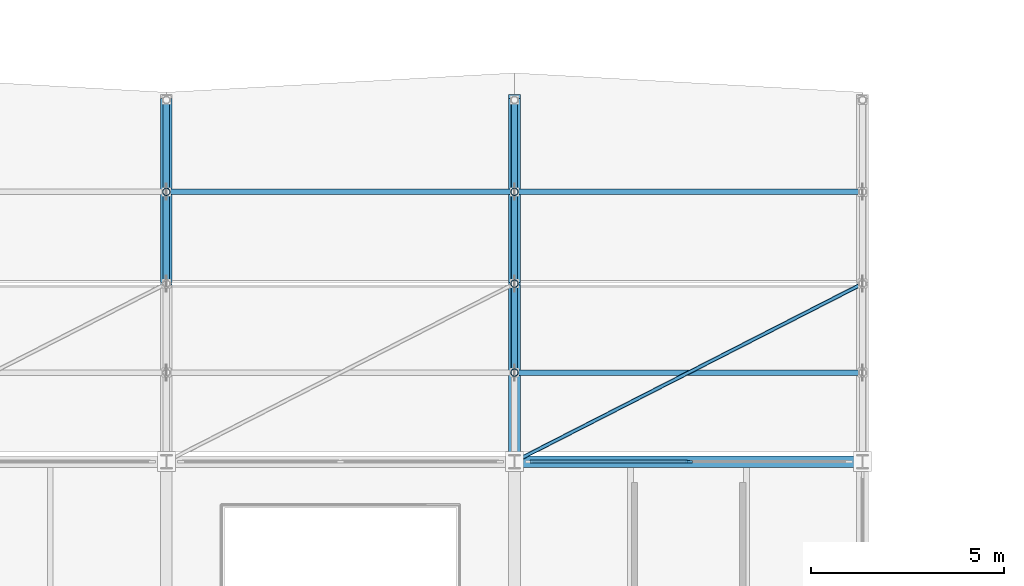
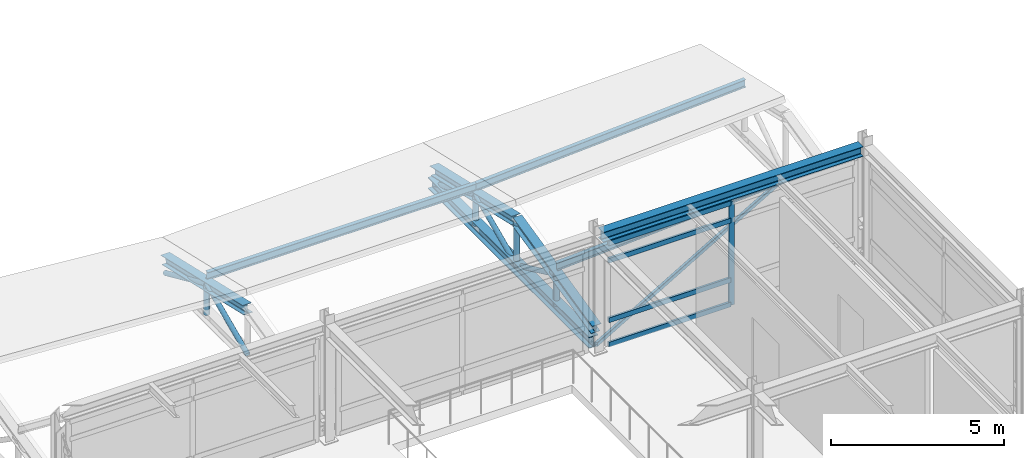
# One storey, part 21 of 55: 21 members, 2 beams, 1 element without a shape of its own.
"""IFC4 building model written with IfcOpenShell, lengths in metres."""

from ifc_helpers import new_model, si_unit, direction, frame, origin, origin_2d, place, context, subcontext, project, spatial, rectangle, hollow_rectangle, hollow_circle, i_section, extrude, material, material_profile, profile_set, type_object, element, aggregate, save


model = new_model("IFC4")

# Units and contexts
model_context = context("Model", 3, precision=1e-05, world=origin(), true_north=direction((0.0, 1.0)))
body_context = subcontext(model_context, "Body", "Model", "MODEL_VIEW")
ifc_project = project(units=[si_unit("LENGTHUNIT", "METRE"), si_unit("AREAUNIT", "SQUARE_METRE"), si_unit("VOLUMEUNIT", "CUBIC_METRE"), si_unit("PLANEANGLEUNIT", "RADIAN"), si_unit("MASSUNIT", "GRAM", prefix="KILO")], contexts=[model_context])

# Site, building, storey
site_placement = place(None, origin())
site = spatial("IfcSite", under=ifc_project, at=site_placement, CompositionType="ELEMENT")
building_placement = place(site_placement, origin())
building = spatial("IfcBuilding", under=site, at=building_placement, Name="Bozkorgan Art Gallery", CompositionType="ELEMENT")
storey_placement = place(building_placement, frame((0.0, 0.0, 15.0)))
storey = spatial("IfcBuildingStorey", under=building, at=storey_placement, Name="L03", CompositionType="ELEMENT", Elevation=15.0)

# Beams
ifc_material_1 = material(Name="Steel S355J2", Category="steel")
ifc_material_profile_1 = material_profile(ifc_material_1, i_section(OverallWidth=0.300048828125, OverallDepth=0.35009765625, WebThickness=0.010009765625, FlangeThickness=0.017578125, FilletRadius=0.027099609375, at=origin_2d()), Name="HEA 360")
ifc_profile_set_1 = profile_set([ifc_material_profile_1], Name="Steel S355J2")
beam_type_1 = type_object("IfcBeamType", Name="BEAM-SP-97", PredefinedType="SPANDREL", material=ifc_profile_set_1)
beam_1_placement = place(storey_placement, frame((92.14990234375, 84.39990234375, 4.0048828125), z_axis=(1.0, 0.0, 0.0), x_axis=(0.0, 1.0, 0.0)))
element("IfcBeam", 1, at=beam_1_placement, inside=storey, type_object=beam_type_1, Name="V4 L03 spandrel X (92-101, 84.4)", PredefinedType="SPANDREL", context=body_context, shape_type="SweptSolid", body=[
    extrude(i_section(OverallWidth=0.300048828125, OverallDepth=0.35009765625, WebThickness=0.010009765625, FlangeThickness=0.017578125, FilletRadius=0.027099609375, at=origin_2d()), origin(), (0.0, 0.0, 1.0), 8.7001953125),
])
ifc_material_profile_2 = material_profile(ifc_material_1, i_section(OverallWidth=0.300048828125, OverallDepth=0.39990234375, WebThickness=0.013427734375, FlangeThickness=0.02392578125, FilletRadius=0.027099609375, at=origin_2d()), Name="HEB 400")
ifc_profile_set_2 = profile_set([ifc_material_profile_2], Name="Steel S355J2")
beam_type_2 = type_object("IfcBeamType", Name="BEAM-TB-49", PredefinedType="BEAM", material=ifc_profile_set_2)
beam_2_placement = place(storey_placement, frame((92.0, 84.550048828125, 0.199951171875), z_axis=(0.0, 1.0, 0.0), x_axis=(-1.0, 0.0, 0.0)))
element("IfcBeam", 2, at=beam_2_placement, inside=storey, type_object=beam_type_2, Name="ROOF-V4-STEP3 roof truss 3 bottom chord", PredefinedType="BEAM", context=body_context, shape_type="SweptSolid", body=[
    extrude(i_section(OverallWidth=0.300048828125, OverallDepth=0.39990234375, WebThickness=0.013427734375, FlangeThickness=0.02392578125, FilletRadius=0.027099609375, at=origin_2d()), origin(), (0.0, 0.0, 1.0), 9.33984375),
])

# Curtain wall, members
ifc_material_2 = material(Name="Anodised Bronze Aluminium", Category="aluminium")
curtain_wall_type = type_object("IfcCurtainWallType", Name="CW-CW-85", PredefinedType="NOTDEFINED", material=ifc_material_2)
curtain_wall_placement = place(storey_placement, origin())
curtain_wall = element("IfcCurtainWall", 3, at=curtain_wall_placement, inside=storey, type_object=curtain_wall_type, Name="L03 unitised curtain wall CW-V4-L03-1N-06", PredefinedType="NOTDEFINED")
ifc_material_profile_3 = material_profile(ifc_material_2, rectangle(XDim=0.06494140625, YDim=0.179931640625, at=origin_2d()), Name="ALU MULLION 65x180")
ifc_profile_set_3 = profile_set([ifc_material_profile_3], Name="Anodised Bronze Aluminium")
member_type_1 = type_object("IfcMemberType", Name="CWM-01", PredefinedType="MULLION", material=ifc_profile_set_3)
member_1_placement = place(storey_placement, frame((96.512451171875, 84.39990234375, 0.02001953125), z_axis=(0.0, 0.0, 1.0), x_axis=(0.0, 1.0, 0.0)))
member_1 = element("IfcMember", 4, at=member_1_placement, type_object=member_type_1, Name="CW-85 mullion 2", PredefinedType="MULLION", context=body_context, shape_type="SweptSolid", body=[
    extrude(rectangle(XDim=0.06494140625, YDim=0.179931640625, at=origin_2d()), origin(), (0.0, 0.0, 1.0), 3.655029296875),
])
ifc_material_profile_4 = material_profile(ifc_material_2, rectangle(XDim=0.074951171875, YDim=0.169921875, at=origin_2d()), Name="ALU TRANSOM 75x170")
ifc_profile_set_4 = profile_set([ifc_material_profile_4], Name="Anodised Bronze Aluminium")
member_type_2 = type_object("IfcMemberType", Name="CWT-02", PredefinedType="USERDEFINED", material=ifc_profile_set_4)
member_2_placement = place(storey_placement, frame((92.405029296875, 84.39990234375, 0.0576171875), z_axis=(1.0, 0.0, 0.0), x_axis=(0.0, 1.0, 0.0)))
member_2 = element("IfcMember", 5, at=member_2_placement, type_object=member_type_2, Name="CW-85 transom 1.1", ObjectType="TRANSOM", PredefinedType="USERDEFINED", context=body_context, shape_type="SweptSolid", body=[
    extrude(rectangle(XDim=0.074951171875, YDim=0.169921875, at=origin_2d()), origin(), (0.0, 0.0, 1.0), 4.074951171875),
])
member_3_placement = place(storey_placement, frame((92.405029296875, 84.39990234375, 0.919921875), z_axis=(1.0, 0.0, 0.0), x_axis=(0.0, 1.0, 0.0)))
member_3 = element("IfcMember", 6, at=member_3_placement, type_object=member_type_2, Name="CW-85 transom 1.2", ObjectType="TRANSOM", PredefinedType="USERDEFINED", context=body_context, shape_type="SweptSolid", body=[
    extrude(rectangle(XDim=0.074951171875, YDim=0.169921875, at=origin_2d()), origin(), (0.0, 0.0, 1.0), 4.074951171875),
])
member_4_placement = place(storey_placement, frame((92.405029296875, 84.39990234375, 3.02490234375), z_axis=(1.0, 0.0, 0.0), x_axis=(0.0, 1.0, 0.0)))
member_4 = element("IfcMember", 7, at=member_4_placement, type_object=member_type_2, Name="CW-85 transom 1.3", ObjectType="TRANSOM", PredefinedType="USERDEFINED", context=body_context, shape_type="SweptSolid", body=[
    extrude(rectangle(XDim=0.074951171875, YDim=0.169921875, at=origin_2d()), origin(), (0.0, 0.0, 1.0), 4.074951171875),
])
member_5_placement = place(storey_placement, frame((92.405029296875, 84.39990234375, 3.637451171875), z_axis=(1.0, 0.0, 0.0), x_axis=(0.0, 1.0, 0.0)))
member_5 = element("IfcMember", 8, at=member_5_placement, type_object=member_type_2, Name="CW-85 transom 1.4", ObjectType="TRANSOM", PredefinedType="USERDEFINED", context=body_context, shape_type="SweptSolid", body=[
    extrude(rectangle(XDim=0.074951171875, YDim=0.169921875, at=origin_2d()), origin(), (0.0, 0.0, 1.0), 4.074951171875),
])
aggregate(curtain_wall, [member_1, member_2, member_3, member_4, member_5])

# Members
ifc_material_profile_5 = material_profile(ifc_material_1, i_section(OverallWidth=0.135009765625, OverallDepth=0.27001953125, WebThickness=0.006591796875, FlangeThickness=0.01025390625, FilletRadius=0.014892578125, at=origin_2d()), Name="IPE 270")
ifc_profile_set_5 = profile_set([ifc_material_profile_5], Name="Steel S355J2")
member_type_3 = type_object("IfcMemberType", Name="MEMBER-PR-57", PredefinedType="PURLIN", material=ifc_profile_set_5)
member_6_placement = place(storey_placement, frame((83.0, 91.375, 1.5517578125), z_axis=(1.0, 0.0, 0.0), x_axis=(0.0, 1.0, 0.0)))
element("IfcMember", 9, at=member_6_placement, inside=storey, type_object=member_type_3, Name="ROOF-V4-STEP3 roof purlin 2N", PredefinedType="PURLIN", context=body_context, shape_type="SweptSolid", body=[
    extrude(i_section(OverallWidth=0.135009765625, OverallDepth=0.27001953125, WebThickness=0.006591796875, FlangeThickness=0.01025390625, FilletRadius=0.014892578125, at=origin_2d()), origin(), (0.0, 0.0, 1.0), 9.0),
])
for number, where, z_axis, x_axis, name in (
    (10, (92.0, 86.699951171875, 1.569091796875), (0.998287793766, 0.0, 0.058493425416), (0.0, 1.0, 0.0), "ROOF-V4-STEP3 roof purlin 3S"),
    (11, (92.0, 91.375, 1.5517578125), (0.998287793766, 0.0, 0.058493425416), (0.0, 1.0, 0.0), "ROOF-V4-STEP3 roof purlin 3N"),
):
    element("IfcMember", number, at=place(storey_placement, frame(where, z_axis=z_axis, x_axis=x_axis)), inside=storey, type_object=member_type_3, Name=name, PredefinedType="PURLIN", context=body_context, shape_type="SweptSolid", body=[
        extrude(i_section(OverallWidth=0.135009765625, OverallDepth=0.27001953125, WebThickness=0.006591796875, FlangeThickness=0.01025390625, FilletRadius=0.014892578125, at=origin_2d()), origin(), (0.0, 0.0, 1.0), 9.015380859375),
    ])
ifc_material_profile_6 = material_profile(ifc_material_1, i_section(OverallWidth=0.300048828125, OverallDepth=0.31005859375, WebThickness=0.009033203125, FlangeThickness=0.015380859375, FilletRadius=0.027099609375, at=origin_2d()), Name="HEA 320")
ifc_profile_set_6 = profile_set([ifc_material_profile_6], Name="Steel S355J2")
member_type_4 = type_object("IfcMemberType", Name="MEMBER-TC-13", PredefinedType="CHORD", material=ifc_profile_set_6)
member_7_placement = place(storey_placement, frame((83.0, 89.0, 1.81005859375), z_axis=(0.0, 0.974367556786, -0.224961917408), x_axis=(-1.0, 0.0, 0.0)))
element("IfcMember", 12, at=member_7_placement, inside=storey, type_object=member_type_4, Name="ROOF-V4-STEP3 roof truss 2 north top chord", PredefinedType="CHORD", context=body_context, shape_type="SweptSolid", body=[
    extrude(i_section(OverallWidth=0.300048828125, OverallDepth=0.31005859375, WebThickness=0.009033203125, FlangeThickness=0.015380859375, FilletRadius=0.027099609375, at=origin_2d()), origin(), (0.0, 0.0, 1.0), 4.875),
])
member_8_placement = place(storey_placement, frame((92.0, 84.39990234375, 0.748046875), z_axis=(0.0, 0.974370273991, 0.224950148172), x_axis=(-1.0, 0.0, 0.0)))
element("IfcMember", 13, at=member_8_placement, inside=storey, type_object=member_type_4, Name="ROOF-V4-STEP3 roof truss 3 south top chord", PredefinedType="CHORD", context=body_context, shape_type="SweptSolid", body=[
    extrude(i_section(OverallWidth=0.300048828125, OverallDepth=0.31005859375, WebThickness=0.009033203125, FlangeThickness=0.015380859375, FilletRadius=0.027099609375, at=origin_2d()), origin(), (0.0, 0.0, 1.0), 4.72119140625),
])
member_9_placement = place(storey_placement, frame((92.0, 89.0, 1.81005859375), z_axis=(0.0, 0.974367556786, -0.224961917408), x_axis=(-1.0, 0.0, 0.0)))
element("IfcMember", 14, at=member_9_placement, inside=storey, type_object=member_type_4, Name="ROOF-V4-STEP3 roof truss 3 north top chord", PredefinedType="CHORD", context=body_context, shape_type="SweptSolid", body=[
    extrude(i_section(OverallWidth=0.300048828125, OverallDepth=0.31005859375, WebThickness=0.009033203125, FlangeThickness=0.015380859375, FilletRadius=0.027099609375, at=origin_2d()), origin(), (0.0, 0.0, 1.0), 4.875),
])
ifc_material_profile_7 = material_profile(ifc_material_1, hollow_circle(Radius=0.096923828125, WallThickness=0.008056640625, at=origin_2d()), Name="CHS 193.7x8")
ifc_profile_set_7 = profile_set([ifc_material_profile_7], Name="Steel S355J2")
member_type_5 = type_object("IfcMemberType", Name="MEMBER-TP-46", PredefinedType="POST", material=ifc_profile_set_7)
member_10_placement = place(storey_placement, frame((83.0, 91.375, 0.199951171875), z_axis=(0.0, 0.0, 1.0), x_axis=(1.0, 0.0, 0.0)))
element("IfcMember", 15, at=member_10_placement, inside=storey, type_object=member_type_5, Name="ROOF-V4-STEP3 roof truss 2 post 3", PredefinedType="POST", context=body_context, shape_type="SweptSolid", body=[
    extrude(hollow_circle(Radius=0.096923828125, WallThickness=0.008056640625, at=origin_2d()), origin(), (0.0, 0.0, 1.0), 1.061767578125),
])
member_11_placement = place(storey_placement, frame((92.0, 86.699951171875, 0.199951171875), z_axis=(0.0, 0.0, 1.0), x_axis=(1.0, 0.0, 0.0)))
element("IfcMember", 16, at=member_11_placement, inside=storey, type_object=member_type_5, Name="ROOF-V4-STEP3 roof truss 3 post 1", PredefinedType="POST", context=body_context, shape_type="SweptSolid", body=[
    extrude(hollow_circle(Radius=0.096923828125, WallThickness=0.008056640625, at=origin_2d()), origin(), (0.0, 0.0, 1.0), 1.0791015625),
])
member_12_placement = place(storey_placement, frame((92.0, 89.0, 0.199951171875), z_axis=(0.0, 0.0, 1.0), x_axis=(1.0, 0.0, 0.0)))
element("IfcMember", 17, at=member_12_placement, inside=storey, type_object=member_type_5, Name="ROOF-V4-STEP3 roof truss 3 post 2", PredefinedType="POST", context=body_context, shape_type="SweptSolid", body=[
    extrude(hollow_circle(Radius=0.096923828125, WallThickness=0.008056640625, at=origin_2d()), origin(), (0.0, 0.0, 1.0), 1.610107421875),
])
member_13_placement = place(storey_placement, frame((92.0, 91.375, 0.199951171875), z_axis=(0.0, 0.0, 1.0), x_axis=(1.0, 0.0, 0.0)))
element("IfcMember", 18, at=member_13_placement, inside=storey, type_object=member_type_5, Name="ROOF-V4-STEP3 roof truss 3 post 3", PredefinedType="POST", context=body_context, shape_type="SweptSolid", body=[
    extrude(hollow_circle(Radius=0.096923828125, WallThickness=0.008056640625, at=origin_2d()), origin(), (0.0, 0.0, 1.0), 1.061767578125),
])
ifc_material_profile_8 = material_profile(ifc_material_1, hollow_circle(Radius=0.084228515625, WallThickness=0.008056640625, at=origin_2d()), Name="CHS 168.3x8")
ifc_profile_set_8 = profile_set([ifc_material_profile_8], Name="Steel S355J2")
member_type_6 = type_object("IfcMemberType", Name="MEMBER-TW-40", PredefinedType="BRACE", material=ifc_profile_set_8)
for number, where, z_axis, x_axis, name in (
    (19, (83.0, 89.0, 0.199951171875), (0.0, 0.912923167749, 0.408131461404), (-1.0, 0.0, 0.0), "ROOF-V4-STEP3 roof truss 2 diagonal 3"),
    (20, (83.0, 91.375, 1.26171875), (0.0, 0.912923167749, -0.408131461404), (-1.0, 0.0, 0.0), "ROOF-V4-STEP3 roof truss 2 diagonal 4"),
):
    element("IfcMember", number, at=place(storey_placement, frame(where, z_axis=z_axis, x_axis=x_axis)), inside=storey, type_object=member_type_6, Name=name, PredefinedType="BRACE", context=body_context, shape_type="SweptSolid", body=[
        extrude(hollow_circle(Radius=0.084228515625, WallThickness=0.008056640625, at=origin_2d()), origin(), (0.0, 0.0, 1.0), 2.6015625),
    ])
member_14_placement = place(storey_placement, frame((92.0, 86.699951171875, 1.279052734375), z_axis=(0.0, 0.905314625174, -0.424741603149), x_axis=(-1.0, 0.0, 0.0)))
element("IfcMember", 21, at=member_14_placement, inside=storey, type_object=member_type_6, Name="ROOF-V4-STEP3 roof truss 3 diagonal 2", PredefinedType="BRACE", context=body_context, shape_type="SweptSolid", body=[
    extrude(hollow_circle(Radius=0.084228515625, WallThickness=0.008056640625, at=origin_2d()), origin(), (0.0, 0.0, 1.0), 2.54052734375),
])
for number, where, z_axis, x_axis, name in (
    (22, (92.0, 89.0, 0.199951171875), (0.0, 0.912923167749, 0.408131461404), (-1.0, 0.0, 0.0), "ROOF-V4-STEP3 roof truss 3 diagonal 3"),
    (23, (92.0, 91.375, 1.26171875), (0.0, 0.912923167749, -0.408131461404), (-1.0, 0.0, 0.0), "ROOF-V4-STEP3 roof truss 3 diagonal 4"),
):
    element("IfcMember", number, at=place(storey_placement, frame(where, z_axis=z_axis, x_axis=x_axis)), inside=storey, type_object=member_type_6, Name=name, PredefinedType="BRACE", context=body_context, shape_type="SweptSolid", body=[
        extrude(hollow_circle(Radius=0.084228515625, WallThickness=0.008056640625, at=origin_2d()), origin(), (0.0, 0.0, 1.0), 2.6015625),
    ])
ifc_material_profile_9 = material_profile(ifc_material_1, hollow_rectangle(XDim=0.10009765625, YDim=0.14990234375, WallThickness=0.008056640625, InnerFilletRadius=0.011962890625, OuterFilletRadius=0.02001953125, at=origin_2d()), Name="RHS 150x100x8")
ifc_profile_set_9 = profile_set([ifc_material_profile_9], Name="Steel S355J2")
member_type_7 = type_object("IfcMemberType", Name="MEMBER-WB-10", PredefinedType="BRACE", material=ifc_profile_set_9)
member_15_placement = place(storey_placement, frame((92.0, 84.39990234375, 0.199951171875), z_axis=(0.890430766754, 0.455118720355, 0.0), x_axis=(-0.455118720355, 0.890430766754, 0.0)))
element("IfcMember", 24, at=member_15_placement, inside=storey, type_object=member_type_7, Name="ROOF-V4-STEP3 roof diaphragm wind brace 3", PredefinedType="BRACE", context=body_context, shape_type="SweptSolid", body=[
    extrude(hollow_rectangle(XDim=0.10009765625, YDim=0.14990234375, WallThickness=0.008056640625, InnerFilletRadius=0.011962890625, OuterFilletRadius=0.02001953125, at=origin_2d()), origin(), (0.0, 0.0, 1.0), 10.107421875),
])

save(model, "model.ifc")
